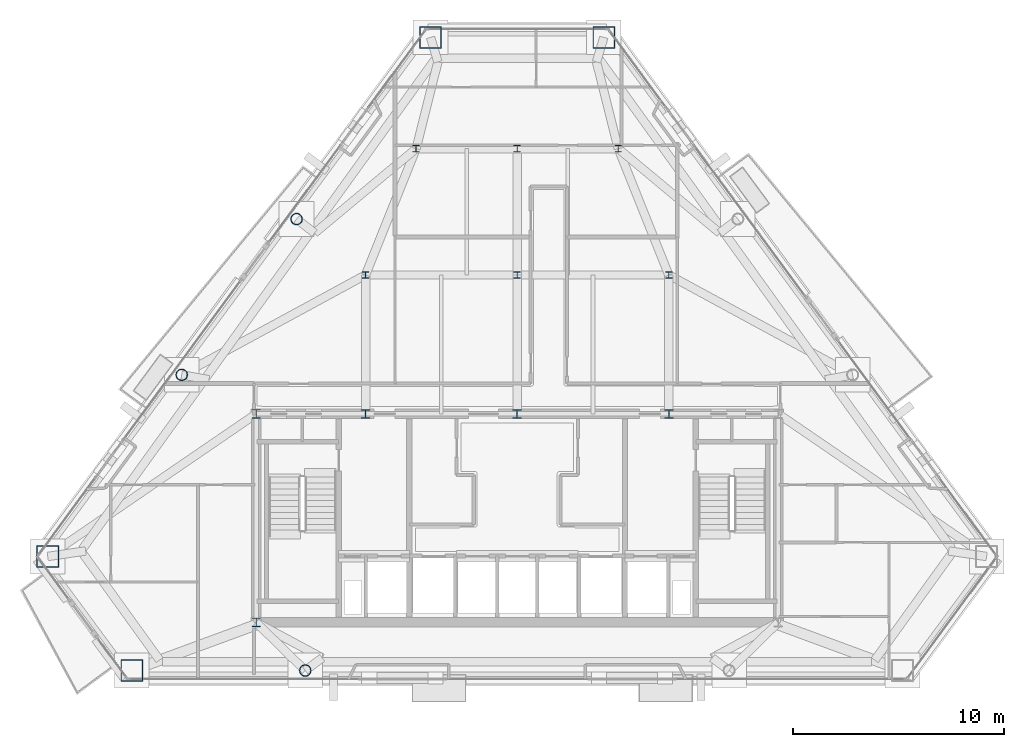
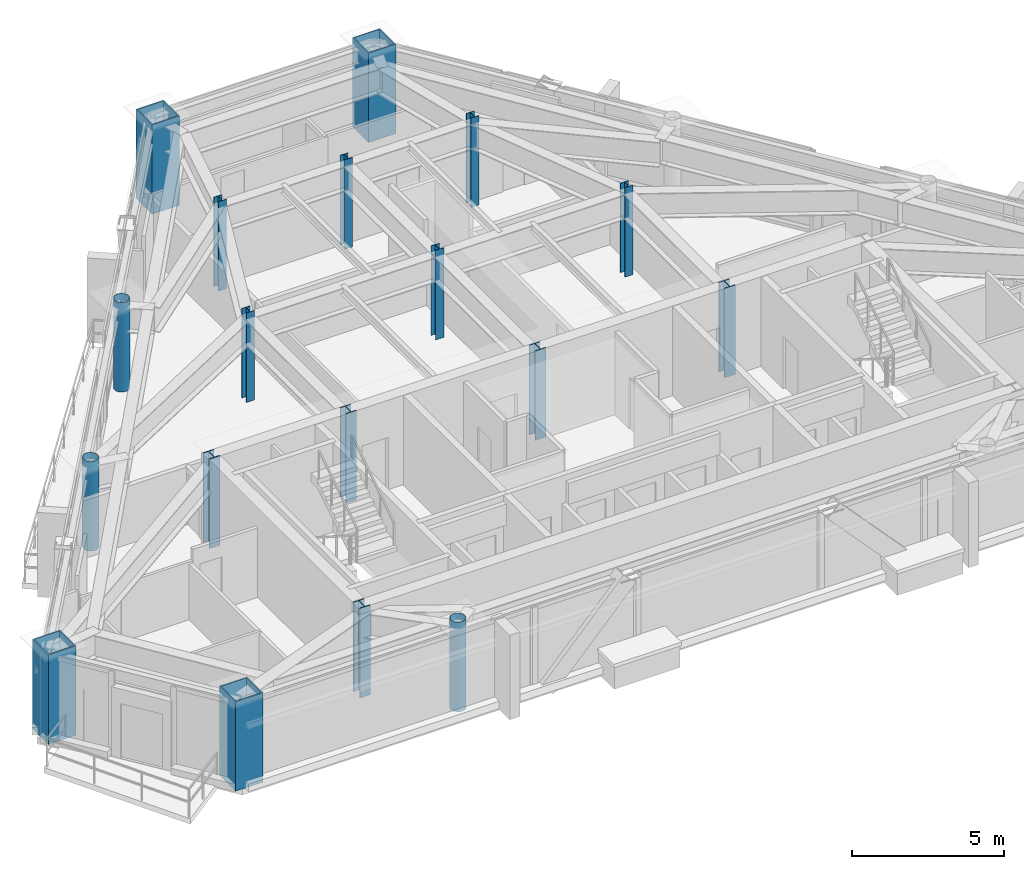
# One storey, part 1 of 12: 18 columns.
"""IFC4 building model written with IfcOpenShell, lengths in metres."""

from ifc_helpers import new_model, si_unit, direction, frame, origin, origin_2d, place, context, subcontext, project, spatial, hollow_rectangle, hollow_circle, i_section, extrude, material, material_profile, profile_set, type_object, element, save


model = new_model("IFC4")

# Units and contexts
model_context = context("Model", 3, precision=1e-05, world=origin(), true_north=direction((0.0, 1.0)))
body_context = subcontext(model_context, "Body", "Model", "MODEL_VIEW")
ifc_project = project(units=[si_unit("LENGTHUNIT", "METRE"), si_unit("AREAUNIT", "SQUARE_METRE"), si_unit("VOLUMEUNIT", "CUBIC_METRE"), si_unit("PLANEANGLEUNIT", "RADIAN"), si_unit("MASSUNIT", "GRAM", prefix="KILO")], contexts=[model_context])

# Site, building, storey
site_placement = place(None, origin())
site = spatial("IfcSite", under=ifc_project, at=site_placement, CompositionType="ELEMENT")
building_placement = place(site_placement, origin())
building = spatial("IfcBuilding", under=site, at=building_placement, Name="Talgorran Terracotta Tower", CompositionType="ELEMENT")
storey_placement = place(building_placement, frame((0.0, 0.0, 182.10009765625)))
storey = spatial("IfcBuildingStorey", under=building, at=storey_placement, Name="L47", CompositionType="ELEMENT", Elevation=182.10009765625)

# Columns
ifc_material_1 = material(Name="Steel S355 (300PLUS)", Category="steel")
ifc_material_profile_1 = material_profile(ifc_material_1, i_section(OverallWidth=0.306884765625, OverallDepth=0.314453125, WebThickness=0.011962890625, FlangeThickness=0.018798828125, at=origin_2d()), Name="310UC118")
ifc_profile_set_1 = profile_set([ifc_material_profile_1], Name="Steel S355 (300PLUS)")
column_type_1 = type_object("IfcColumnType", Name="COL_310UC118", PredefinedType="COLUMN", material=ifc_profile_set_1)
for number, where, z_axis, x_axis, name in (
    (1, (-7.199951171875, 2.39990234375, 0.0), (0.0, 0.0, 1.0), (1.0, 0.0, 0.0), "L47 Interior Gravity Column IC1"),
    (2, (0.0, 2.39990234375, 0.0), (0.0, 0.0, 1.0), (1.0, 0.0, 0.0), "L47 Interior Gravity Column IC2"),
    (3, (7.199951171875, 2.39990234375, 0.0), (0.0, 0.0, 1.0), (1.0, 0.0, 0.0), "L47 Interior Gravity Column IC3"),
    (4, (-4.800048828125, 8.39990234375, 0.0), (0.0, 0.0, 1.0), (1.0, 0.0, 0.0), "L47 Interior Gravity Column IC4"),
    (5, (0.0, 8.39990234375, 0.0), (0.0, 0.0, 1.0), (1.0, 0.0, 0.0), "L47 Interior Gravity Column IC5"),
    (6, (4.800048828125, 8.39990234375, 0.0), (0.0, 0.0, 1.0), (1.0, 0.0, 0.0), "L47 Interior Gravity Column IC6"),
):
    element("IfcColumn", number, at=place(storey_placement, frame(where, z_axis=z_axis, x_axis=x_axis)), inside=storey, type_object=column_type_1, Name=name, PredefinedType="COLUMN", context=body_context, shape_type="SweptSolid", body=[
        extrude(i_section(OverallWidth=0.306884765625, OverallDepth=0.314453125, WebThickness=0.011962890625, FlangeThickness=0.018798828125, at=origin_2d()), origin(), (0.0, 0.0, 1.0), 3.599853515625),
    ])
ifc_material_profile_2 = material_profile(ifc_material_1, i_section(OverallWidth=0.39990234375, OverallDepth=0.43994140625, WebThickness=0.028076171875, FlangeThickness=0.0400390625, at=origin_2d()), Name="400WC328")
ifc_profile_set_2 = profile_set([ifc_material_profile_2], Name="Steel S355 (300PLUS)")
column_type_2 = type_object("IfcColumnType", Name="COL_400WC328", PredefinedType="COLUMN", material=ifc_profile_set_2)
for number, where, z_axis, x_axis, name in (
    (7, (-12.39990234375, -14.10009765625, 0.0), (0.0, 0.0, 1.0), (1.0, 0.0, 0.0), "L47 Core Boundary Column CC1"),
    (8, (-12.39990234375, -4.199951171875, 0.0), (0.0, 0.0, 1.0), (1.0, 0.0, 0.0), "L47 Core Boundary Column CC4"),
):
    element("IfcColumn", number, at=place(storey_placement, frame(where, z_axis=z_axis, x_axis=x_axis)), inside=storey, type_object=column_type_2, Name=name, PredefinedType="COLUMN", context=body_context, shape_type="SweptSolid", body=[
        extrude(i_section(OverallWidth=0.39990234375, OverallDepth=0.43994140625, WebThickness=0.028076171875, FlangeThickness=0.0400390625, at=origin_2d()), origin(), (0.0, 0.0, 1.0), 3.599853515625),
    ])
ifc_material_2 = material(Name="Steel Grade 350 (350L0)", Category="steel")
ifc_material_profile_3 = material_profile(ifc_material_2, hollow_rectangle(XDim=1.050048828125, YDim=1.050048828125, WallThickness=0.044921875, at=origin_2d()), Name="CFT1050X1050X45")
ifc_profile_set_3 = profile_set([ifc_material_profile_3], Name="Steel Grade 350 (350L0)")
column_type_3 = type_object("IfcColumnType", Name="COL_CFT_1050", PredefinedType="COLUMN", material=ifc_profile_set_3)
for number, where, z_axis, x_axis, name in (
    (9, (-22.2939453125, -10.97021484375, 0.0), (0.0, 0.0, 1.0), (1.0, 0.0, 0.0), "L47 Corner CFT Mega-Column MC1"),
    (10, (-18.30078125, -16.385498046875, 0.0), (0.0, 0.0, 1.0), (1.0, 0.0, 0.0), "L47 Corner CFT Mega-Column MC2"),
    (11, (4.114013671875, 13.68359375, 0.0), (0.0, 0.0, 1.0), (1.0, 0.0, 0.0), "L47 Corner CFT Mega-Column MC5"),
    (12, (-4.114013671875, 13.68359375, 0.0), (0.0, 0.0, 1.0), (1.0, 0.0, 0.0), "L47 Corner CFT Mega-Column MC6"),
):
    element("IfcColumn", number, at=place(storey_placement, frame(where, z_axis=z_axis, x_axis=x_axis)), inside=storey, type_object=column_type_3, Name=name, PredefinedType="COLUMN", context=body_context, shape_type="SweptSolid", body=[
        extrude(hollow_rectangle(XDim=1.050048828125, YDim=1.050048828125, WallThickness=0.044921875, at=origin_2d()), origin(), (0.0, 0.0, 1.0), 3.599853515625),
    ])
ifc_material_profile_4 = material_profile(ifc_material_2, hollow_circle(Radius=0.27490234375, WallThickness=0.02392578125, at=origin_2d()), Name="CHS550X24")
ifc_profile_set_4 = profile_set([ifc_material_profile_4], Name="Steel Grade 350 (350L0)")
column_type_4 = type_object("IfcColumnType", Name="COL_CHS_550", PredefinedType="COLUMN", material=ifc_profile_set_4)
for number, where, z_axis, x_axis, name in (
    (13, (-10.0654296875, -16.385498046875, 0.0), (0.0, 0.0, 1.0), (1.0, 0.0, 0.0), "L47 Facet Perimeter Column FC1"),
    (14, (-10.47705078125, 5.0546875, 0.0), (0.0, 0.0, 1.0), (1.0, 0.0, 0.0), "L47 Facet Perimeter Column FC5"),
    (15, (-15.930908203125, -2.34130859375, 0.0), (0.0, 0.0, 1.0), (1.0, 0.0, 0.0), "L47 Facet Perimeter Column FC6"),
):
    element("IfcColumn", number, at=place(storey_placement, frame(where, z_axis=z_axis, x_axis=x_axis)), inside=storey, type_object=column_type_4, Name=name, PredefinedType="COLUMN", context=body_context, shape_type="SweptSolid", body=[
        extrude(hollow_circle(Radius=0.27490234375, WallThickness=0.02392578125, at=origin_2d()), origin(), (0.0, 0.0, 1.0), 3.599853515625),
    ])
ifc_material_profile_5 = material_profile(ifc_material_1, i_section(OverallWidth=0.405029296875, OverallDepth=0.4140625, WebThickness=0.02197265625, FlangeThickness=0.031982421875, at=origin_2d()), Name="400WC270")
ifc_profile_set_5 = profile_set([ifc_material_profile_5], Name="Steel S355 (300PLUS)")
column_type_5 = type_object("IfcColumnType", Name="COL_PIL_400WC270", PredefinedType="PILASTER", material=ifc_profile_set_5)
for number, where, z_axis, x_axis, name in (
    (16, (-7.199951171875, -4.199951171875, 0.0), (0.0, 0.0, 1.0), (1.0, 0.0, 0.0), "L47 Core Shear Pilaster CP1"),
    (17, (0.0, -4.199951171875, 0.0), (0.0, 0.0, 1.0), (1.0, 0.0, 0.0), "L47 Core Shear Pilaster CP2"),
    (18, (7.199951171875, -4.199951171875, 0.0), (0.0, 0.0, 1.0), (1.0, 0.0, 0.0), "L47 Core Shear Pilaster CP3"),
):
    element("IfcColumn", number, at=place(storey_placement, frame(where, z_axis=z_axis, x_axis=x_axis)), inside=storey, type_object=column_type_5, Name=name, PredefinedType="PILASTER", context=body_context, shape_type="SweptSolid", body=[
        extrude(i_section(OverallWidth=0.405029296875, OverallDepth=0.4140625, WebThickness=0.02197265625, FlangeThickness=0.031982421875, at=origin_2d()), origin(), (0.0, 0.0, 1.0), 3.599853515625),
    ])

save(model, "model.ifc")
